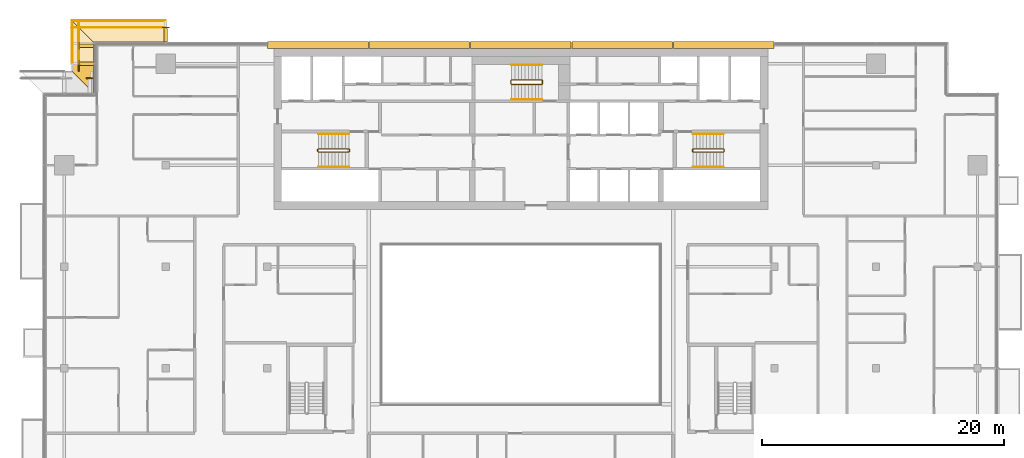
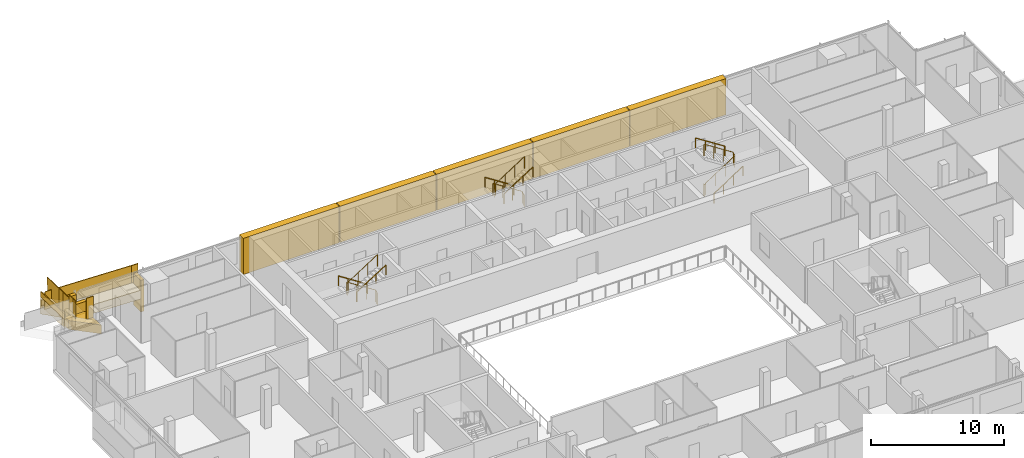
# One storey, part 27 of 30: 16 railings, 13 coverings.
"""IFC4 building model written with IfcOpenShell, lengths in metres."""

import ifcopenshell
import ifcopenshell.guid

model = None  # the IFC model being written
_history = None  # IfcOwnerHistory: only IFC2X3 demands one
_inside = {}  # id of a spatial element -> (the spatial element, [elements in it])
_under = {}  # id of a project, library or spatial element -> (it, [spatial elements below it])
_declared = {}  # id of a project -> (the project, [libraries it declares])
_typed = {}  # id of a type object -> (the type object, [elements of that type])
_made_of = {}  # id of a material, layer set ... -> (it, [elements and type objects made of it])


def new_model(schema):
    """Start an empty IFC model of exactly this schema.

    Asked for "IFC4X3", IfcOpenShell would pick the latest addendum, in which some entities
    have other attributes; the version numbers below select the first issue.
    IFC2X3 requires an IfcOwnerHistory on every rooted entity: one is made here for all.
    """
    global model, _history
    if schema == "IFC4X3":
        model = ifcopenshell.file(schema_version=(4, 3, 0, 0))
    else:
        model = ifcopenshell.file(schema=schema)
    _inside.clear()
    _under.clear()
    _declared.clear()
    _typed.clear()
    _made_of.clear()
    _history = None
    if model.schema == "IFC2X3":
        org = make("IfcOrganization", Name="unknown")
        user = make(
            "IfcPersonAndOrganization",
            ThePerson=make("IfcPerson", FamilyName="unknown"),
            TheOrganization=org,
        )
        app = make(
            "IfcApplication",
            ApplicationDeveloper=org,
            Version="unknown",
            ApplicationFullName="unknown",
            ApplicationIdentifier="unknown",
        )
        _history = make(
            "IfcOwnerHistory",
            OwningUser=user,
            OwningApplication=app,
            ChangeAction="ADDED",
            CreationDate=0,
        )
    return model


def make(cls, **values):
    """One entity of the class cls with the attributes given. An attribute that is None is left unset."""
    return model.create_entity(
        cls, **{name: value for name, value in values.items() if value is not None}
    )


def rooted(cls, **values):
    """An entity with a GlobalId (a new one), such as an element, a storey or a relation."""
    return make(cls, GlobalId=ifcopenshell.guid.new(), OwnerHistory=_history, **values)


def si_unit(unit_type, name, prefix=None):
    """IfcSIUnit, for example si_unit("LENGTHUNIT", "METRE", prefix="MILLI")."""
    return make("IfcSIUnit", UnitType=unit_type, Prefix=prefix, Name=name)


def assignment(units):
    """IfcUnitAssignment: the units of a project."""
    return None if units is None else make("IfcUnitAssignment", Units=units)


def point(xyz):
    """IfcCartesianPoint."""
    return None if xyz is None else make("IfcCartesianPoint", Coordinates=xyz)


def direction(xyz):
    """IfcDirection."""
    return None if xyz is None else make("IfcDirection", DirectionRatios=xyz)


def frame(location, z_axis=None, x_axis=None):
    """IfcAxis2Placement3D, a coordinate frame: its origin and axes. An axis left out is left unset."""
    return make(
        "IfcAxis2Placement3D",
        Location=point(location),
        Axis=direction(z_axis),
        RefDirection=direction(x_axis),
    )


def frame_2d(location, x_axis=None):
    """IfcAxis2Placement2D, a coordinate frame in the plane: its origin and x axis."""
    return make(
        "IfcAxis2Placement2D", Location=point(location), RefDirection=direction(x_axis)
    )


def origin():
    """The frame at (0, 0, 0) with its axes left unset."""
    return frame((0.0, 0.0, 0.0))


def origin_2d():
    """The frame at (0, 0) in the plane with its x axis left unset."""
    return frame_2d((0.0, 0.0))


def place(relative_to, where):
    """IfcLocalPlacement: puts the frame where relative to a parent placement (None: the world)."""
    return make(
        "IfcLocalPlacement", PlacementRelTo=relative_to, RelativePlacement=where
    )


def context(
    kind, dimensions, precision=None, world=None, true_north=None, identifier=None
):
    """IfcGeometricRepresentationContext, for example the 3D "Model" context."""
    return make(
        "IfcGeometricRepresentationContext",
        ContextIdentifier=identifier,
        ContextType=kind,
        CoordinateSpaceDimension=dimensions,
        Precision=precision,
        WorldCoordinateSystem=world,
        TrueNorth=true_north,
    )


def subcontext(parent, identifier, kind, view, scale=None):
    """IfcGeometricRepresentationSubContext, for example "Body" below "Model"."""
    return make(
        "IfcGeometricRepresentationSubContext",
        ContextIdentifier=identifier,
        ContextType=kind,
        ParentContext=parent,
        TargetScale=scale,
        TargetView=view,
    )


def project(units=None, contexts=None):
    """IfcProject with its units and contexts."""
    return rooted(
        "IfcProject",
        Name="project",
        RepresentationContexts=contexts,
        UnitsInContext=assignment(units),
    )


def spatial(cls, under=None, at=None, **own):
    """A site, building, storey or space (cls), placed at a placement, below another one or the project."""
    s = rooted(cls, ObjectPlacement=at, **own)
    if under is not None:
        _under.setdefault(under.id(), (under, []))[1].append(s)
    return s


def polyline(points):
    """IfcPolyline through the points."""
    return make("IfcPolyline", Points=[point(p) for p in points])


def profile(cls, at=None, kind="AREA", **sizes):
    """A parametric profile (cls). Its sizes go by their IFC names, for example OverallWidth=200.0."""
    return make(cls, ProfileType=kind, Position=at, **sizes)


def rectangle(**sizes):
    """IfcRectangleProfileDef."""
    return profile("IfcRectangleProfileDef", **sizes)


def circle(**sizes):
    """IfcCircleProfileDef."""
    return profile("IfcCircleProfileDef", **sizes)


def outline(outer, holes=None, kind="AREA"):
    """IfcArbitraryClosedProfileDef: a profile drawn as a closed curve; with holes, ...WithVoids."""
    if holes is None:
        return make("IfcArbitraryClosedProfileDef", ProfileType=kind, OuterCurve=outer)
    return make(
        "IfcArbitraryProfileDefWithVoids",
        ProfileType=kind,
        OuterCurve=outer,
        InnerCurves=holes,
    )


def extrude(swept, where, along, depth):
    """IfcExtrudedAreaSolid: the profile swept, set in the frame where, extruded along a direction by depth."""
    return make(
        "IfcExtrudedAreaSolid",
        SweptArea=swept,
        Position=where,
        ExtrudedDirection=direction(along),
        Depth=depth,
    )


def shape(context_of_items, identifier, shape_type, items):
    """IfcShapeRepresentation: the items that make up one representation, for example the "Body"."""
    return make(
        "IfcShapeRepresentation",
        ContextOfItems=context_of_items,
        RepresentationIdentifier=identifier,
        RepresentationType=shape_type,
        Items=items,
    )


def material(Name=None, Category=None):
    """IfcMaterial."""
    return make("IfcMaterial", Name=Name, Category=Category)


def layer(
    of_material, thickness, ventilated=None, Name=None, Category=None, Priority=None
):
    """IfcMaterialLayer: one layer of a wall or slab, of a material (None: an air gap)."""
    return make(
        "IfcMaterialLayer",
        Material=of_material,
        LayerThickness=thickness,
        IsVentilated=ventilated,
        Name=Name,
        Category=Category,
        Priority=Priority,
    )


def layer_set(layers, Name=None):
    """IfcMaterialLayerSet."""
    return make("IfcMaterialLayerSet", MaterialLayers=layers, LayerSetName=Name)


def made_of(thing, what):
    """Note that an element or type object is made of a material, layer set ...; save() writes the relation."""
    if what is not None:
        _made_of.setdefault(what.id(), (what, []))[1].append(thing)
    return thing


def type_object(cls, material=None, **own):
    """A type object (cls), such as IfcWallType, which elements share."""
    return made_of(rooted(cls, **own), material)


def element(
    cls,
    number,
    at=None,
    inside=None,
    cuts=None,
    type_object=None,
    material=None,
    context=None,
    identifier="Body",
    shape_type=None,
    held_by="IfcProductDefinitionShape",
    body=None,
    shapes=None,
    **own,
):
    """One element of the class cls, such as IfcWall. Its Tag is "e" and its number.

    at: its placement. inside: the storey or other place that contains it. cuts: it is an
    opening in that element (IfcRelVoidsElement). A single representation is given by context,
    identifier, shape_type and body (its items); several are given by shapes. held_by: the class
    of the entity that holds the representations. save() writes the other relations.
    """
    e = rooted(cls, Tag="e%d" % number, ObjectPlacement=at, **own)
    if body is not None:
        shapes = [shape(context, identifier, shape_type, body)]
    if shapes is not None:
        e.Representation = make(held_by, Representations=shapes)
    if inside is not None:
        _inside.setdefault(inside.id(), (inside, []))[1].append(e)
    if cuts is not None:
        rooted(
            "IfcRelVoidsElement", RelatingBuildingElement=cuts, RelatedOpeningElement=e
        )
    if type_object is not None:
        _typed.setdefault(type_object.id(), (type_object, []))[1].append(e)
    return made_of(e, material)


def aggregate(whole, parts):
    """IfcRelAggregates: a whole, such as a stair, and the parts it consists of."""
    return rooted("IfcRelAggregates", RelatingObject=whole, RelatedObjects=parts)


def save(model, path):
    """Write the relations noted so far, then the file.

    IfcRelAggregates (storeys below a building ...), IfcRelContainedInSpatialStructure (elements
    in a storey), IfcRelDefinesByType, IfcRelAssociatesMaterial and IfcRelDeclares: one each for
    every whole, place, type object, material and project.
    """
    for whole, parts in _under.values():
        aggregate(whole, parts)
    for where, things in _inside.values():
        rooted(
            "IfcRelContainedInSpatialStructure",
            RelatedElements=things,
            RelatingStructure=where,
        )
    for kind, things in _typed.values():
        rooted("IfcRelDefinesByType", RelatedObjects=things, RelatingType=kind)
    for what, things in _made_of.values():
        rooted("IfcRelAssociatesMaterial", RelatedObjects=things, RelatingMaterial=what)
    for by, libraries in _declared.values():
        rooted("IfcRelDeclares", RelatingContext=by, RelatedDefinitions=libraries)
    model.write(path)


model = new_model("IFC4")

# Units and contexts
model_context = context("Model", 3, precision=1e-05, world=origin(), true_north=direction((0.0, 1.0)))
body_context = subcontext(model_context, "Body", "Model", "MODEL_VIEW")
ifc_project = project(units=[si_unit("LENGTHUNIT", "METRE"), si_unit("AREAUNIT", "SQUARE_METRE"), si_unit("VOLUMEUNIT", "CUBIC_METRE"), si_unit("PLANEANGLEUNIT", "RADIAN"), si_unit("MASSUNIT", "GRAM", prefix="KILO")], contexts=[model_context])

# Site, building, storey
site_placement = place(None, origin())
site = spatial("IfcSite", under=ifc_project, at=site_placement, CompositionType="ELEMENT")
building_placement = place(site_placement, origin())
building = spatial("IfcBuilding", under=site, at=building_placement, Name="Saffron Gate Tower", CompositionType="ELEMENT")
storey_placement = place(building_placement, frame((0.0, 0.0, 216.300048828125)))
storey = spatial("IfcBuildingStorey", under=building, at=storey_placement, Name="L52", CompositionType="ELEMENT", Elevation=216.300048828125)

# Coverings
ifc_material_1 = material(Name="Ceramic-printed bronze insulated panel")
ifc_layer_1 = layer(ifc_material_1, 0.590087890625)
ifc_layer_set_1 = layer_set([ifc_layer_1], Name="CLD4 ceramic-printed cladding panel 590")
covering_type_1 = type_object("IfcCoveringType", Name="CLD4 ceramic-printed cladding panel 590", PredefinedType="CLADDING", material=ifc_layer_set_1)
covering_1_placement = place(storey_placement, origin())
element("IfcCovering", 1, at=covering_1_placement, inside=storey, type_object=covering_type_1, Name="CLADDING ceramic-printed panel", PredefinedType="CLADDING", context=body_context, shape_type="SweptSolid", body=[
    extrude(outline(polyline([(108.56494140625, 75.639892578125), (100.235107421875, 75.639892578125), (100.235107421875, 75.050048828125), (108.56494140625, 75.050048828125), (108.56494140625, 75.639892578125)])), origin(), (0.0, 0.0, 1.0), 3.320068359375),
])
covering_2_placement = place(storey_placement, origin())
element("IfcCovering", 2, at=covering_2_placement, inside=storey, type_object=covering_type_1, Name="CLADDING ceramic-printed panel", PredefinedType="CLADDING", context=body_context, shape_type="SweptSolid", body=[
    extrude(outline(polyline([(100.1650390625, 75.639892578125), (91.8349609375, 75.639892578125), (91.8349609375, 75.050048828125), (100.1650390625, 75.050048828125), (100.1650390625, 75.639892578125)])), origin(), (0.0, 0.0, 1.0), 3.320068359375),
])
covering_3_placement = place(storey_placement, origin())
element("IfcCovering", 3, at=covering_3_placement, inside=storey, type_object=covering_type_1, Name="CLADDING ceramic-printed panel", PredefinedType="CLADDING", context=body_context, shape_type="SweptSolid", body=[
    extrude(outline(polyline([(91.764892578125, 75.639892578125), (83.43505859375, 75.639892578125), (83.43505859375, 75.050048828125), (91.764892578125, 75.050048828125), (91.764892578125, 75.639892578125)])), origin(), (0.0, 0.0, 1.0), 3.320068359375),
])
covering_4_placement = place(storey_placement, origin())
element("IfcCovering", 4, at=covering_4_placement, inside=storey, type_object=covering_type_1, Name="CLADDING ceramic-printed panel", PredefinedType="CLADDING", context=body_context, shape_type="SweptSolid", body=[
    extrude(outline(polyline([(83.364990234375, 75.639892578125), (75.034912109375, 75.639892578125), (75.034912109375, 75.050048828125), (83.364990234375, 75.050048828125), (83.364990234375, 75.639892578125)])), origin(), (0.0, 0.0, 1.0), 3.320068359375),
])
covering_5_placement = place(storey_placement, origin())
element("IfcCovering", 5, at=covering_5_placement, inside=storey, type_object=covering_type_1, Name="CLADDING ceramic-printed panel", PredefinedType="CLADDING", context=body_context, shape_type="SweptSolid", body=[
    extrude(outline(polyline([(74.965087890625, 75.639892578125), (66.635009765625, 75.639892578125), (66.635009765625, 75.050048828125), (74.965087890625, 75.050048828125), (74.965087890625, 75.639892578125)])), origin(), (0.0, 0.0, 1.0), 3.320068359375),
])

# Railings
ifc_material_2 = material(Name="Stainless steel and laminated glass", Category="steel")
railing_type_1 = type_object("IfcRailingType", Name="CR1 Stair guard 1100", PredefinedType="GUARDRAIL", material=ifc_material_2)
railing_1_placement = place(storey_placement, frame((73.39990234375, 66.550048828125, 0.0)))
element("IfcRailing", 6, at=railing_1_placement, inside=storey, type_object=railing_type_1, Name="L52 ST-A stair guard 1", PredefinedType="GUARDRAIL", context=body_context, shape_type="SweptSolid", body=[
    extrude(circle(Radius=0.02392578125, at=origin_2d()), frame((0.0, 0.0, 1.076171875), z_axis=(0.0, 1.0, 0.0), x_axis=(-1.0, 0.0, 0.0)), (0.0, 0.0, 1.0), 0.14990234375),
    extrude(circle(Radius=0.02392578125, at=origin_2d()), frame((0.0, 0.14990234375, 1.076171875), z_axis=(-0.257669022063, 0.258932105505, 0.930892496375), x_axis=(-0.708833529934, -0.705375805398, 0.0)), (0.0, 0.0, 1.0), 0.193359375),
    extrude(circle(Radius=0.02392578125, at=origin_2d()), frame((-0.0498046875, 0.199951171875, 1.255859375), z_axis=(-0.841162588446, 0.0, 0.540782303519), x_axis=(0.0, -1.0, 0.0)), (0.0, 0.0, 1.0), 2.995849609375),
    extrude(circle(Radius=0.02392578125, at=origin_2d()), frame((-2.56982421875, 0.199951171875, 2.8759765625), z_axis=(-0.707106781187, -0.707106781187, 0.0), x_axis=(0.707106781187, -0.707106781187, 0.0)), (0.0, 0.0, 1.0), 0.07080078125),
    extrude(circle(Radius=0.02392578125, at=origin_2d()), frame((-2.619873046875, 0.14990234375, 2.8759765625), z_axis=(0.0, -1.0, 0.0), x_axis=(1.0, 0.0, 0.0)), (0.0, 0.0, 1.0), 0.14990234375),
    extrude(circle(Radius=0.02392578125, at=origin_2d()), frame((-2.619873046875, 0.0, 2.8759765625), z_axis=(0.258847668887, -0.258847668887, 0.930588936439), x_axis=(0.707106781187, 0.707106781187, 0.0)), (0.0, 0.0, 1.0), 0.193359375),
    extrude(circle(Radius=0.02392578125, at=origin_2d()), frame((-2.56982421875, -0.050048828125, 3.05615234375), z_axis=(0.841199657755, 0.0, 0.540724639528), x_axis=(0.0, 1.0, 0.0)), (0.0, 0.0, 1.0), 2.995849609375),
    extrude(circle(Radius=0.02099609375, at=origin_2d()), origin(), (0.0, 0.0, 1.0), 1.052001953125),
    extrude(circle(Radius=0.02099609375, at=origin_2d()), frame((0.0, 0.14990234375, 0.0)), (0.0, 0.0, 1.0), 1.052001953125),
    extrude(circle(Radius=0.02099609375, at=origin_2d()), frame((-0.0498046875, 0.199951171875, 0.179931640625)), (0.0, 0.0, 1.0), 1.052001953125),
    extrude(circle(Radius=0.02099609375, at=origin_2d()), frame((-0.889892578125, 0.199951171875, 0.719970703125)), (0.0, 0.0, 1.0), 1.052001953125),
    extrude(circle(Radius=0.02099609375, at=origin_2d()), frame((-1.729736328125, 0.199951171875, 1.260009765625)), (0.0, 0.0, 1.0), 1.052001953125),
    extrude(circle(Radius=0.02099609375, at=origin_2d()), frame((-2.56982421875, 0.199951171875, 1.800048828125)), (0.0, 0.0, 1.0), 1.052001953125),
    extrude(circle(Radius=0.02099609375, at=origin_2d()), frame((-2.619873046875, 0.14990234375, 1.800048828125)), (0.0, 0.0, 1.0), 1.052001953125),
    extrude(circle(Radius=0.02099609375, at=origin_2d()), frame((-2.619873046875, 0.0, 1.800048828125)), (0.0, 0.0, 1.0), 1.052001953125),
    extrude(circle(Radius=0.02099609375, at=origin_2d()), frame((-2.56982421875, -0.050048828125, 1.97998046875)), (0.0, 0.0, 1.0), 1.052001953125),
    extrude(circle(Radius=0.02099609375, at=origin_2d()), frame((-1.729736328125, -0.050048828125, 2.52001953125)), (0.0, 0.0, 1.0), 1.052001953125),
    extrude(circle(Radius=0.02099609375, at=origin_2d()), frame((-0.889892578125, -0.050048828125, 3.059814453125)), (0.0, 0.0, 1.0), 1.052001953125),
    extrude(circle(Radius=0.02099609375, at=origin_2d()), frame((-0.0498046875, -0.050048828125, 3.599853515625)), (0.0, 0.0, 1.0), 1.052001953125),
])
railing_2_placement = place(storey_placement, frame((101.800048828125, 66.699951171875, 0.0)))
element("IfcRailing", 7, at=railing_2_placement, inside=storey, type_object=railing_type_1, Name="L52 ST-B stair guard 1", PredefinedType="GUARDRAIL", context=body_context, shape_type="SweptSolid", body=[
    extrude(circle(Radius=0.02392578125, at=origin_2d()), frame((0.0, 0.0, 1.076171875), z_axis=(0.0, -1.0, 0.0), x_axis=(1.0, 0.0, 0.0)), (0.0, 0.0, 1.0), 0.14990234375),
    extrude(circle(Radius=0.02392578125, at=origin_2d()), frame((0.0, -0.14990234375, 1.076171875), z_axis=(0.258847668887, -0.258847668887, 0.930588936439), x_axis=(0.707106781187, 0.707106781187, 0.0)), (0.0, 0.0, 1.0), 0.193359375),
    extrude(circle(Radius=0.02392578125, at=origin_2d()), frame((0.050048828125, -0.199951171875, 1.255859375), z_axis=(0.841162588446, 0.0, 0.540782303519), x_axis=(0.0, 1.0, 0.0)), (0.0, 0.0, 1.0), 2.995849609375),
    extrude(circle(Radius=0.02392578125, at=origin_2d()), frame((2.570068359375, -0.199951171875, 2.8759765625), z_axis=(0.705375805398, 0.708833529934, 0.0), x_axis=(-0.708833529934, 0.705375805398, 0.0)), (0.0, 0.0, 1.0), 0.070556640625),
    extrude(circle(Radius=0.02392578125, at=origin_2d()), frame((2.619873046875, -0.14990234375, 2.8759765625), z_axis=(0.0, 1.0, 0.0), x_axis=(-1.0, 0.0, 0.0)), (0.0, 0.0, 1.0), 0.14990234375),
    extrude(circle(Radius=0.02392578125, at=origin_2d()), frame((2.619873046875, 0.0, 2.8759765625), z_axis=(-0.257669022063, 0.258932105505, 0.930892496375), x_axis=(-0.708833529934, -0.705375805398, 0.0)), (0.0, 0.0, 1.0), 0.193359375),
    extrude(circle(Radius=0.02392578125, at=origin_2d()), frame((2.570068359375, 0.050048828125, 3.05615234375), z_axis=(-0.841199657755, 0.0, 0.540724639528), x_axis=(0.0, -1.0, 0.0)), (0.0, 0.0, 1.0), 2.995849609375),
    extrude(circle(Radius=0.02099609375, at=origin_2d()), origin(), (0.0, 0.0, 1.0), 1.052001953125),
    extrude(circle(Radius=0.02099609375, at=origin_2d()), frame((0.0, -0.14990234375, 0.0)), (0.0, 0.0, 1.0), 1.052001953125),
    extrude(circle(Radius=0.02099609375, at=origin_2d()), frame((0.050048828125, -0.199951171875, 0.179931640625)), (0.0, 0.0, 1.0), 1.052001953125),
    extrude(circle(Radius=0.02099609375, at=origin_2d()), frame((0.89013671875, -0.199951171875, 0.719970703125)), (0.0, 0.0, 1.0), 1.052001953125),
    extrude(circle(Radius=0.02099609375, at=origin_2d()), frame((1.72998046875, -0.199951171875, 1.260009765625)), (0.0, 0.0, 1.0), 1.052001953125),
    extrude(circle(Radius=0.02099609375, at=origin_2d()), frame((2.570068359375, -0.199951171875, 1.800048828125)), (0.0, 0.0, 1.0), 1.052001953125),
    extrude(circle(Radius=0.02099609375, at=origin_2d()), frame((2.619873046875, -0.14990234375, 1.800048828125)), (0.0, 0.0, 1.0), 1.052001953125),
    extrude(circle(Radius=0.02099609375, at=origin_2d()), frame((2.619873046875, 0.0, 1.800048828125)), (0.0, 0.0, 1.0), 1.052001953125),
    extrude(circle(Radius=0.02099609375, at=origin_2d()), frame((2.570068359375, 0.050048828125, 1.97998046875)), (0.0, 0.0, 1.0), 1.052001953125),
    extrude(circle(Radius=0.02099609375, at=origin_2d()), frame((1.72998046875, 0.050048828125, 2.52001953125)), (0.0, 0.0, 1.0), 1.052001953125),
    extrude(circle(Radius=0.02099609375, at=origin_2d()), frame((0.89013671875, 0.050048828125, 3.059814453125)), (0.0, 0.0, 1.0), 1.052001953125),
    extrude(circle(Radius=0.02099609375, at=origin_2d()), frame((0.050048828125, 0.050048828125, 3.599853515625)), (0.0, 0.0, 1.0), 1.052001953125),
])
railing_3_placement = place(storey_placement, frame((89.39990234375, 72.14990234375, 0.0)))
element("IfcRailing", 8, at=railing_3_placement, inside=storey, type_object=railing_type_1, Name="L52 ST-C stair guard 1", PredefinedType="GUARDRAIL", context=body_context, shape_type="SweptSolid", body=[
    extrude(circle(Radius=0.02392578125, at=origin_2d()), frame((0.0, 0.0, 1.076171875), z_axis=(0.0, 1.0, 0.0), x_axis=(-1.0, 0.0, 0.0)), (0.0, 0.0, 1.0), 0.25),
    extrude(circle(Radius=0.02392578125, at=origin_2d()), frame((0.0, 0.25, 1.076171875), z_axis=(-0.257669022063, 0.258932105505, 0.930892496375), x_axis=(-0.708833529934, -0.705375805398, 0.0)), (0.0, 0.0, 1.0), 0.193359375),
    extrude(circle(Radius=0.02392578125, at=origin_2d()), frame((-0.0498046875, 0.300048828125, 1.255859375), z_axis=(-0.841162588446, 0.0, 0.540782303519), x_axis=(0.0, -1.0, 0.0)), (0.0, 0.0, 1.0), 2.995849609375),
    extrude(circle(Radius=0.02392578125, at=origin_2d()), frame((-2.56982421875, 0.300048828125, 2.8759765625), z_axis=(-0.707106781187, -0.707106781187, 0.0), x_axis=(0.707106781187, -0.707106781187, 0.0)), (0.0, 0.0, 1.0), 0.07080078125),
    extrude(circle(Radius=0.02392578125, at=origin_2d()), frame((-2.619873046875, 0.25, 2.8759765625), z_axis=(0.0, -1.0, 0.0), x_axis=(1.0, 0.0, 0.0)), (0.0, 0.0, 1.0), 0.25),
    extrude(circle(Radius=0.02392578125, at=origin_2d()), frame((-2.619873046875, 0.0, 2.8759765625), z_axis=(0.258932105505, -0.257669022063, 0.930892496375), x_axis=(0.705375805398, 0.708833529934, 0.0)), (0.0, 0.0, 1.0), 0.193359375),
    extrude(circle(Radius=0.02392578125, at=origin_2d()), frame((-2.56982421875, -0.0498046875, 3.05615234375), z_axis=(0.841199657755, 0.0, 0.540724639528), x_axis=(0.0, 1.0, 0.0)), (0.0, 0.0, 1.0), 2.995849609375),
    extrude(circle(Radius=0.02099609375, at=origin_2d()), origin(), (0.0, 0.0, 1.0), 1.052001953125),
    extrude(circle(Radius=0.02099609375, at=origin_2d()), frame((0.0, 0.25, 0.0)), (0.0, 0.0, 1.0), 1.052001953125),
    extrude(circle(Radius=0.02099609375, at=origin_2d()), frame((-0.0498046875, 0.300048828125, 0.179931640625)), (0.0, 0.0, 1.0), 1.052001953125),
    extrude(circle(Radius=0.02099609375, at=origin_2d()), frame((-0.889892578125, 0.300048828125, 0.719970703125)), (0.0, 0.0, 1.0), 1.052001953125),
    extrude(circle(Radius=0.02099609375, at=origin_2d()), frame((-1.729736328125, 0.300048828125, 1.260009765625)), (0.0, 0.0, 1.0), 1.052001953125),
    extrude(circle(Radius=0.02099609375, at=origin_2d()), frame((-2.56982421875, 0.300048828125, 1.800048828125)), (0.0, 0.0, 1.0), 1.052001953125),
    extrude(circle(Radius=0.02099609375, at=origin_2d()), frame((-2.619873046875, 0.25, 1.800048828125)), (0.0, 0.0, 1.0), 1.052001953125),
    extrude(circle(Radius=0.02099609375, at=origin_2d()), frame((-2.619873046875, 0.0, 1.800048828125)), (0.0, 0.0, 1.0), 1.052001953125),
    extrude(circle(Radius=0.02099609375, at=origin_2d()), frame((-2.56982421875, -0.0498046875, 1.97998046875)), (0.0, 0.0, 1.0), 1.052001953125),
    extrude(circle(Radius=0.02099609375, at=origin_2d()), frame((-1.729736328125, -0.0498046875, 2.52001953125)), (0.0, 0.0, 1.0), 1.052001953125),
    extrude(circle(Radius=0.02099609375, at=origin_2d()), frame((-0.889892578125, -0.0498046875, 3.059814453125)), (0.0, 0.0, 1.0), 1.052001953125),
    extrude(circle(Radius=0.02099609375, at=origin_2d()), frame((-0.0498046875, -0.0498046875, 3.599853515625)), (0.0, 0.0, 1.0), 1.052001953125),
])
ifc_material_3 = material(Name="Stainless steel", Category="steel")
railing_type_2 = type_object("IfcRailingType", Name="CR2 Stair handrail 900", PredefinedType="HANDRAIL", material=ifc_material_3)
railing_4_placement = place(storey_placement, frame((73.35009765625, 68.0, 0.179931640625)))
element("IfcRailing", 9, at=railing_4_placement, inside=storey, type_object=railing_type_2, Name="L52 ST-A stair handrail 1", PredefinedType="HANDRAIL", context=body_context, shape_type="SweptSolid", body=[
    extrude(circle(Radius=0.02392578125, at=origin_2d()), frame((0.0, 0.0, 0.8759765625), z_axis=(-0.841162588446, 0.0, 0.540782303519), x_axis=(0.0, -1.0, 0.0)), (0.0, 0.0, 1.0), 2.995849609375),
    extrude(circle(Radius=0.02099609375, at=origin_2d()), origin(), (0.0, 0.0, 1.0), 0.851806640625),
    extrude(circle(Radius=0.02099609375, at=origin_2d()), frame((-0.840087890625, 0.0, 0.5400390625)), (0.0, 0.0, 1.0), 0.851806640625),
    extrude(circle(Radius=0.02099609375, at=origin_2d()), frame((-1.679931640625, 0.0, 1.080078125)), (0.0, 0.0, 1.0), 0.851806640625),
    extrude(circle(Radius=0.02099609375, at=origin_2d()), frame((-2.52001953125, 0.0, 1.6201171875)), (0.0, 0.0, 1.0), 0.851806640625),
])
railing_5_placement = place(storey_placement, frame((70.830078125, 65.25, 1.97998046875)))
element("IfcRailing", 10, at=railing_5_placement, inside=storey, type_object=railing_type_2, Name="L52 ST-A stair handrail 2", PredefinedType="HANDRAIL", context=body_context, shape_type="SweptSolid", body=[
    extrude(circle(Radius=0.02392578125, at=origin_2d()), frame((0.0, 0.0, 0.8759765625), z_axis=(0.841199657755, 0.0, 0.540724639528), x_axis=(0.0, 1.0, 0.0)), (0.0, 0.0, 1.0), 2.995849609375),
    extrude(circle(Radius=0.02099609375, at=origin_2d()), origin(), (0.0, 0.0, 1.0), 0.851806640625),
    extrude(circle(Radius=0.02099609375, at=origin_2d()), frame((0.840087890625, 0.0, 0.5400390625)), (0.0, 0.0, 1.0), 0.851806640625),
    extrude(circle(Radius=0.02099609375, at=origin_2d()), frame((1.679931640625, 0.0, 1.079833984375)), (0.0, 0.0, 1.0), 0.851806640625),
    extrude(circle(Radius=0.02099609375, at=origin_2d()), frame((2.52001953125, 0.0, 1.619873046875)), (0.0, 0.0, 1.0), 0.851806640625),
])
railing_6_placement = place(storey_placement, frame((101.85009765625, 65.25, 0.179931640625)))
element("IfcRailing", 11, at=railing_6_placement, inside=storey, type_object=railing_type_2, Name="L52 ST-B stair handrail 1", PredefinedType="HANDRAIL", context=body_context, shape_type="SweptSolid", body=[
    extrude(circle(Radius=0.02392578125, at=origin_2d()), frame((0.0, 0.0, 0.8759765625), z_axis=(0.841162588446, 0.0, 0.540782303519), x_axis=(0.0, 1.0, 0.0)), (0.0, 0.0, 1.0), 2.995849609375),
    extrude(circle(Radius=0.02099609375, at=origin_2d()), origin(), (0.0, 0.0, 1.0), 0.851806640625),
    extrude(circle(Radius=0.02099609375, at=origin_2d()), frame((0.840087890625, 0.0, 0.5400390625)), (0.0, 0.0, 1.0), 0.851806640625),
    extrude(circle(Radius=0.02099609375, at=origin_2d()), frame((1.679931640625, 0.0, 1.080078125)), (0.0, 0.0, 1.0), 0.851806640625),
    extrude(circle(Radius=0.02099609375, at=origin_2d()), frame((2.52001953125, 0.0, 1.6201171875)), (0.0, 0.0, 1.0), 0.851806640625),
])
railing_7_placement = place(storey_placement, frame((104.3701171875, 68.0, 1.97998046875)))
element("IfcRailing", 12, at=railing_7_placement, inside=storey, type_object=railing_type_2, Name="L52 ST-B stair handrail 2", PredefinedType="HANDRAIL", context=body_context, shape_type="SweptSolid", body=[
    extrude(circle(Radius=0.02392578125, at=origin_2d()), frame((0.0, 0.0, 0.8759765625), z_axis=(-0.841199657755, 0.0, 0.540724639528), x_axis=(0.0, -1.0, 0.0)), (0.0, 0.0, 1.0), 2.995849609375),
    extrude(circle(Radius=0.02099609375, at=origin_2d()), origin(), (0.0, 0.0, 1.0), 0.851806640625),
    extrude(circle(Radius=0.02099609375, at=origin_2d()), frame((-0.840087890625, 0.0, 0.5400390625)), (0.0, 0.0, 1.0), 0.851806640625),
    extrude(circle(Radius=0.02099609375, at=origin_2d()), frame((-1.679931640625, 0.0, 1.079833984375)), (0.0, 0.0, 1.0), 0.851806640625),
    extrude(circle(Radius=0.02099609375, at=origin_2d()), frame((-2.52001953125, 0.0, 1.619873046875)), (0.0, 0.0, 1.0), 0.851806640625),
])
railing_8_placement = place(storey_placement, frame((89.35009765625, 73.699951171875, 0.179931640625)))
element("IfcRailing", 13, at=railing_8_placement, inside=storey, type_object=railing_type_2, Name="L52 ST-C stair handrail 1", PredefinedType="HANDRAIL", context=body_context, shape_type="SweptSolid", body=[
    extrude(circle(Radius=0.02392578125, at=origin_2d()), frame((0.0, 0.0, 0.8759765625), z_axis=(-0.841162588446, 0.0, 0.540782303519), x_axis=(0.0, -1.0, 0.0)), (0.0, 0.0, 1.0), 2.995849609375),
    extrude(circle(Radius=0.02099609375, at=origin_2d()), origin(), (0.0, 0.0, 1.0), 0.851806640625),
    extrude(circle(Radius=0.02099609375, at=origin_2d()), frame((-0.840087890625, 0.0, 0.5400390625)), (0.0, 0.0, 1.0), 0.851806640625),
    extrude(circle(Radius=0.02099609375, at=origin_2d()), frame((-1.679931640625, 0.0, 1.080078125)), (0.0, 0.0, 1.0), 0.851806640625),
    extrude(circle(Radius=0.02099609375, at=origin_2d()), frame((-2.52001953125, 0.0, 1.6201171875)), (0.0, 0.0, 1.0), 0.851806640625),
])
railing_9_placement = place(storey_placement, frame((86.830078125, 70.85009765625, 1.97998046875)))
element("IfcRailing", 14, at=railing_9_placement, inside=storey, type_object=railing_type_2, Name="L52 ST-C stair handrail 2", PredefinedType="HANDRAIL", context=body_context, shape_type="SweptSolid", body=[
    extrude(circle(Radius=0.02392578125, at=origin_2d()), frame((0.0, 0.0, 0.8759765625), z_axis=(0.841199657755, 0.0, 0.540724639528), x_axis=(0.0, 1.0, 0.0)), (0.0, 0.0, 1.0), 2.995849609375),
    extrude(circle(Radius=0.02099609375, at=origin_2d()), origin(), (0.0, 0.0, 1.0), 0.851806640625),
    extrude(circle(Radius=0.02099609375, at=origin_2d()), frame((0.840087890625, 0.0, 0.5400390625)), (0.0, 0.0, 1.0), 0.851806640625),
    extrude(circle(Radius=0.02099609375, at=origin_2d()), frame((1.679931640625, 0.0, 1.079833984375)), (0.0, 0.0, 1.0), 0.851806640625),
    extrude(circle(Radius=0.02099609375, at=origin_2d()), frame((2.52001953125, 0.0, 1.619873046875)), (0.0, 0.0, 1.0), 0.851806640625),
])

# Coverings
ifc_material_4 = material(Name="Timber, thermally modified ash", Category="wood")
ifc_layer_2 = layer(ifc_material_4, 0.800048828125)
ifc_layer_set_2 = layer_set([ifc_layer_2], Name="LD1 ledge timber")
covering_type_2 = type_object("IfcCoveringType", Name="LD1 ledge timber", PredefinedType="CLADDING", material=ifc_layer_set_2)
covering_6_placement = place(storey_placement, frame((58.199951171875, 75.60009765625, 1.2265625), z_axis=(0.028789477025, 2.3920834e-05, 0.999585496814), x_axis=(-0.9995854971, -1.72e-10, 0.028789477033)))
element("IfcCovering", 15, at=covering_6_placement, inside=storey, type_object=covering_type_2, Name="LEDGE", PredefinedType="CLADDING", context=body_context, shape_type="SweptSolid", body=[
    extrude(outline(polyline([(0.0, 0.0), (6.002489288687248, 8.470329472543003e-22), (7.80328207139786, -1.7998046893537554), (-3.087962377470193e-10, -1.7998046869850703), (0.0, 0.0)])), origin(), (0.0, 0.0, -1.0), 0.800048828125),
])
covering_7_placement = place(storey_placement, frame((52.199951171875, 75.60009765625, 2.2568359375), z_axis=(-4.6492774e-05, 0.028788135707, 0.99958553465), x_axis=(-2.161e-09, -0.99958553573, 0.028788135738)))
element("IfcCovering", 16, at=covering_7_placement, inside=storey, type_object=covering_type_2, Name="LEDGE", PredefinedType="CLADDING", context=body_context, shape_type="SweptSolid", body=[
    extrude(outline(polyline([(0.0, 0.0), (1.8007927831333284, 4.235164736271502e-22), (1.800792787022667, -1.8000488261795269), (-1.8005557681600073, -1.8000488378518529), (0.0, 0.0)])), origin(), (0.0, 0.0, -1.0), 0.800048828125),
])
covering_8_placement = place(storey_placement, frame((52.199951171875, 73.800048828125, 2.56591796875), z_axis=(2.6333678e-05, 0.028794305201, 0.999585357683), x_axis=(5.2e-10, -0.99958535803, 0.028794305211)))
element("IfcCovering", 17, at=covering_8_placement, inside=storey, type_object=covering_type_2, Name="LEDGE", PredefinedType="CLADDING", context=body_context, shape_type="SweptSolid", body=[
    extrude(outline(polyline([(0.0, 0.0), (2.401140733194568, 0.0), (0.6003479496762917, -1.8000488290612322), (-9.357805408281585e-10, -1.8000488275008664), (0.0, 0.0)])), origin(), (0.0, 0.0, -1.0), 0.800048828125),
])
ifc_layer_3 = layer(ifc_material_4, 0.080078125)
ifc_layer_set_3 = layer_set([ifc_layer_3], Name="LD2 ledge planter trough")
covering_type_3 = type_object("IfcCoveringType", Name="LD2 ledge planter trough", PredefinedType="CLADDING", material=ifc_layer_set_3)
covering_9_placement = place(storey_placement, frame((58.199951171875, 77.39990234375, 1.2265625), z_axis=(0.0, 1.0, 0.0), x_axis=(-0.999585655924, 0.0, 0.028783962047)))
element("IfcCovering", 18, at=covering_9_placement, inside=storey, type_object=covering_type_3, Name="LEDGE planter trough", PredefinedType="CLADDING", context=body_context, shape_type="SweptSolid", body=[
    extrude(outline(polyline([(0.0, 0.0), (7.803282071825423, 2.7755575615628914e-17), (7.817674052849086, 0.4997928279619612), (0.014391981023662846, 0.4997928279619612), (0.0, 0.0)])), origin(), (0.0, 0.0, -1.0), 0.080078125),
])
covering_10_placement = place(storey_placement, frame((50.39990234375, 77.39990234375, 2.204833984375), z_axis=(-1.0, 0.0, 0.0), x_axis=(0.0, -0.999584866472, 0.028811364412)))
element("IfcCovering", 19, at=covering_10_placement, inside=storey, type_object=covering_type_3, Name="LEDGE planter trough", PredefinedType="CLADDING", context=body_context, shape_type="SweptSolid", body=[
    extrude(outline(polyline([(0.0, 0.0), (3.601348556155073, 0.0), (3.6157542383609322, 0.49979243323622236), (0.01440568220585924, 0.49979243323622236), (0.0, 0.0)])), origin(), (0.0, 0.0, -1.0), 0.080078125),
])
ifc_layer_4 = layer(ifc_material_4, 0.300048828125)
ifc_layer_set_4 = layer_set([ifc_layer_4], Name="LD3 ledge riser fin")
covering_type_4 = type_object("IfcCoveringType", Name="LD3 ledge riser fin", PredefinedType="CLADDING", material=ifc_layer_set_4)
covering_11_placement = place(storey_placement, frame((58.199951171875, 76.159912109375, -0.77392578125), z_axis=(0.0, 0.0, 1.0), x_axis=(-1.0, 0.0, 0.0)))
element("IfcCovering", 20, at=covering_11_placement, inside=storey, type_object=covering_type_4, Name="LEDGE riser fin", PredefinedType="CLADDING", context=body_context, shape_type="SweptSolid", body=[
    extrude(rectangle(XDim=0.300048828125, YDim=1.1201171875, at=origin_2d()), origin(), (0.0, 0.0, 1.0), 2.900390625),
])
covering_12_placement = place(storey_placement, frame((51.639892578125, 75.300048828125, 0.599609375), z_axis=(0.0, 0.0, 1.0), x_axis=(0.0, -1.0, 0.0)))
element("IfcCovering", 21, at=covering_12_placement, inside=storey, type_object=covering_type_4, Name="LEDGE riser fin", PredefinedType="CLADDING", context=body_context, shape_type="SweptSolid", body=[
    extrude(rectangle(XDim=0.300048828125, YDim=1.1201171875, at=origin_2d()), origin(), (0.0, 0.0, 1.0), 2.557373046875),
])
covering_13_placement = place(storey_placement, frame((51.639892578125, 73.800048828125, 1.5087890625), z_axis=(0.0, 0.0, 1.0), x_axis=(0.0, -1.0, 0.0)))
element("IfcCovering", 22, at=covering_13_placement, inside=storey, type_object=covering_type_4, Name="LEDGE riser fin", PredefinedType="CLADDING", context=body_context, shape_type="SweptSolid", body=[
    extrude(rectangle(XDim=0.300048828125, YDim=1.1201171875, at=origin_2d()), origin(), (0.0, 0.0, 1.0), 1.957275390625),
])

# Railings
railing_type_3 = type_object("IfcRailingType", Name="LG1 ledge balustrade", PredefinedType="BALUSTRADE", material=ifc_material_4)
railing_10_placement = place(storey_placement, frame((58.199951171875, 76.800048828125, 1.2265625)))
element("IfcRailing", 23, at=railing_10_placement, inside=storey, type_object=railing_type_3, Name="LEDGE BALUSTRADE", PredefinedType="BALUSTRADE", context=body_context, shape_type="SweptSolid", body=[
    extrude(rectangle(XDim=0.06005859375, YDim=1.60009765625, at=origin_2d()), frame((0.0, 0.0, 0.800048828125), z_axis=(-0.999585655924, 0.0, 0.028783962047), x_axis=(0.0, -1.0, 0.0)), (0.0, 0.0, 1.0), 7.80322265625),
])
railing_11_placement = place(storey_placement, frame((58.5, 76.800048828125, 0.026123046875)))
element("IfcRailing", 24, at=railing_11_placement, inside=storey, type_object=railing_type_3, Name="LEDGE BALUSTRADE", PredefinedType="BALUSTRADE", context=body_context, shape_type="SweptSolid", body=[
    extrude(rectangle(XDim=0.06005859375, YDim=2.80029296875, at=origin_2d()), frame((0.0, 0.0, 1.400146484375), z_axis=(-1.0, 0.0, 0.0), x_axis=(0.0, -1.0, 0.0)), (0.0, 0.0, 1.0), 0.60009765625),
])
railing_12_placement = place(storey_placement, frame((51.0, 77.39990234375, 2.204833984375)))
element("IfcRailing", 25, at=railing_12_placement, inside=storey, type_object=railing_type_3, Name="LEDGE BALUSTRADE", PredefinedType="BALUSTRADE", context=body_context, shape_type="SweptSolid", body=[
    extrude(rectangle(XDim=0.06005859375, YDim=1.60009765625, at=origin_2d()), frame((0.0, 0.0, 0.800048828125), z_axis=(0.0, -0.999584866472, 0.028811364412), x_axis=(1.0, 0.0, 0.0)), (0.0, 0.0, 1.0), 3.601318359375),
])
railing_13_placement = place(storey_placement, frame((51.0, 75.60009765625, 1.3994140625)))
element("IfcRailing", 26, at=railing_13_placement, inside=storey, type_object=railing_type_3, Name="LEDGE BALUSTRADE", PredefinedType="BALUSTRADE", context=body_context, shape_type="SweptSolid", body=[
    extrude(rectangle(XDim=0.06005859375, YDim=2.45751953125, at=origin_2d()), frame((0.0, 0.0, 1.228759765625), z_axis=(0.0, -1.0, 0.0), x_axis=(1.0, 0.0, 0.0)), (0.0, 0.0, 1.0), 0.60009765625),
])
railing_14_placement = place(storey_placement, frame((51.0, 73.800048828125, 2.56591796875)))
element("IfcRailing", 27, at=railing_14_placement, inside=storey, type_object=railing_type_3, Name="LEDGE BALUSTRADE", PredefinedType="BALUSTRADE", context=body_context, shape_type="SweptSolid", body=[
    extrude(rectangle(XDim=0.06005859375, YDim=1.60009765625, at=origin_2d()), frame((0.0, 0.0, 0.800048828125), z_axis=(0.0, -0.999583081391, 0.028873229772), x_axis=(1.0, 0.0, 0.0)), (0.0, 0.0, 1.0), 0.600341796875),
])
railing_15_placement = place(storey_placement, frame((51.0, 74.10009765625, 2.30859375)))
element("IfcRailing", 28, at=railing_15_placement, inside=storey, type_object=railing_type_3, Name="LEDGE BALUSTRADE", PredefinedType="BALUSTRADE", context=body_context, shape_type="SweptSolid", body=[
    extrude(rectangle(XDim=0.06005859375, YDim=1.857177734375, at=origin_2d()), frame((0.0, 0.0, 0.9287109375), z_axis=(0.0, -1.0, 0.0), x_axis=(1.0, 0.0, 0.0)), (0.0, 0.0, 1.0), 0.60009765625),
])
railing_16_placement = place(storey_placement, frame((52.199951171875, 72.60009765625, 2.635009765625)))
element("IfcRailing", 29, at=railing_16_placement, inside=storey, type_object=railing_type_3, Name="LEDGE BALUSTRADE", PredefinedType="BALUSTRADE", context=body_context, shape_type="SweptSolid", body=[
    extrude(rectangle(XDim=0.06005859375, YDim=1.943115234375, at=origin_2d()), frame((0.0, 0.0, 0.9716796875), z_axis=(-1.0, 0.0, 0.0), x_axis=(0.0, -1.0, 0.0)), (0.0, 0.0, 1.0), 0.599853515625),
])

save(model, "model.ifc")
